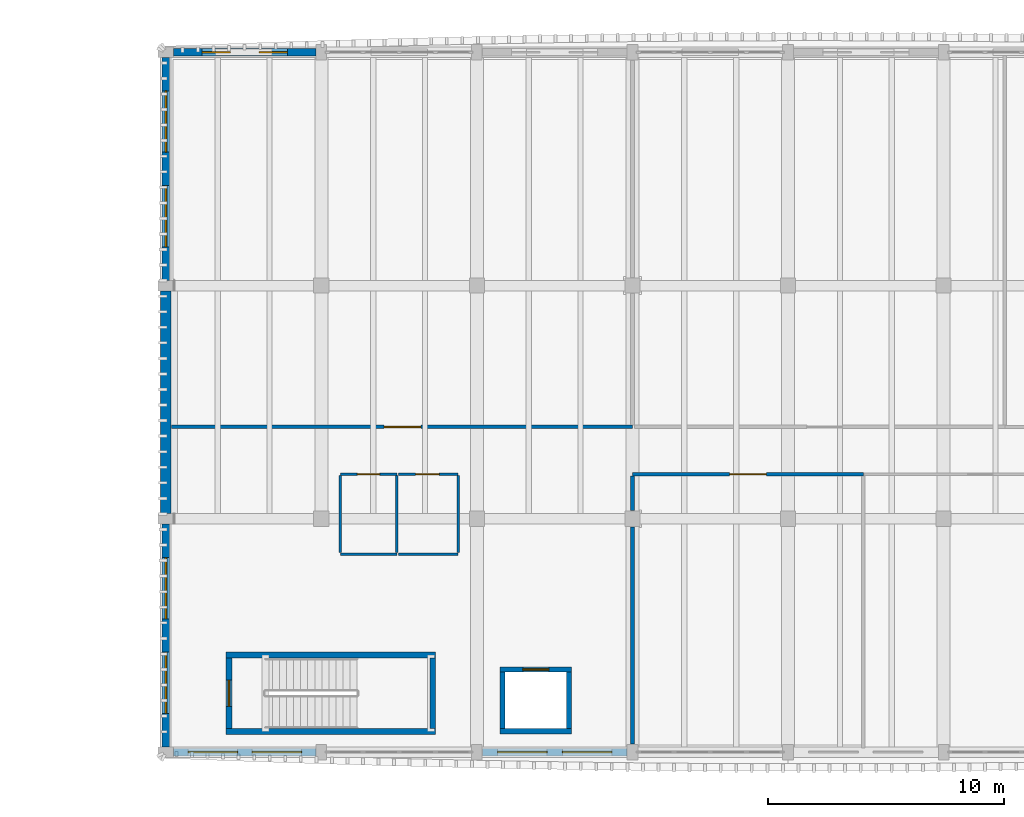
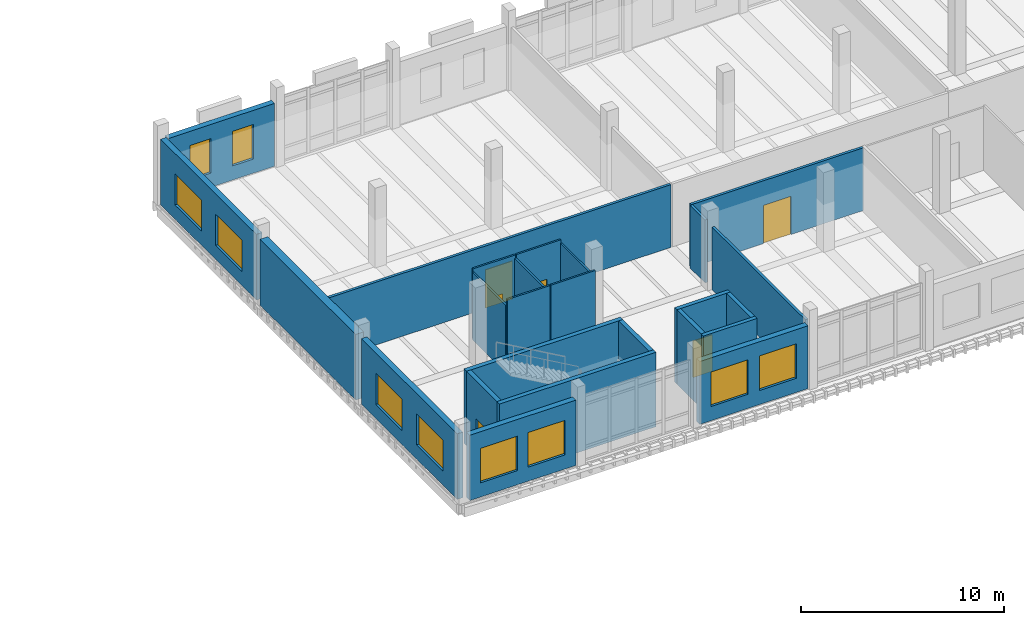
# One storey, part 23 of 39: 25 walls, 10 windows, 6 doors, 16 openings.
"""IFC4 building model written with IfcOpenShell, lengths in metres."""

from ifc_helpers import new_model, si_unit, direction, frame, frame_2d, origin, place, context, subcontext, project, spatial, rectangle, extrude, material, layer, layer_set, type_object, element, fill, save


model = new_model("IFC4")

# Units and contexts
model_context = context("Model", 3, precision=1e-05, world=origin(), true_north=direction((0.0, 1.0)))
body_context = subcontext(model_context, "Body", "Model", "MODEL_VIEW")
ifc_project = project(units=[si_unit("LENGTHUNIT", "METRE"), si_unit("AREAUNIT", "SQUARE_METRE"), si_unit("VOLUMEUNIT", "CUBIC_METRE"), si_unit("PLANEANGLEUNIT", "RADIAN"), si_unit("MASSUNIT", "GRAM", prefix="KILO")], contexts=[model_context])

# Site, building, storey
site_placement = place(None, origin())
site = spatial("IfcSite", under=ifc_project, at=site_placement, CompositionType="ELEMENT")
building_placement = place(site_placement, origin())
building = spatial("IfcBuilding", under=site, at=building_placement, Name="Dornvale Research Institute", CompositionType="ELEMENT")
storey_placement = place(building_placement, frame((0.0, 0.0, 24.60009765625)))
storey = spatial("IfcBuildingStorey", under=building, at=storey_placement, Name="L05", CompositionType="ELEMENT", Elevation=24.60009765625)

# Wall, opening, door
ifc_material_1 = material(Name="Acoustic Insulated Double-Stud Laboratory Partition")
ifc_layer_1 = layer(ifc_material_1, 0.14990234375)
ifc_layer_set_1 = layer_set([ifc_layer_1], Name="Acoustic Insulated Double-Stud Laboratory Partition")
wall_type_1 = type_object("IfcWallType", Name="Partition_Lab_150", PredefinedType="PARTITIONING", material=ifc_layer_set_1)
wall_1_placement = place(storey_placement, frame((119.0400390625, 106.199951171875, 0.0), z_axis=(0.0, 0.0, 1.0), x_axis=(1.0, 0.0, 0.0)))
wall_1 = element("IfcWall", 1, at=wall_1_placement, inside=storey, type_object=wall_type_1, Name="L05 V4 interior partition #480", PredefinedType="PARTITIONING", context=body_context, shape_type="SweptSolid", body=[
    extrude(rectangle(XDim=19.56005859375, YDim=0.14990234375, at=frame_2d((9.780029296875, 0.0))), origin(), (0.0, 0.0, 1.0), 3.77978515625),
])
opening_1_placement = place(wall_1_placement, frame((9.02001953125, 0.0, 0.0)))
opening_1 = element("IfcOpeningElement", 2, at=opening_1_placement, cuts=wall_1, Name="Opening ID-05", PredefinedType="OPENING", context=body_context, shape_type="SweptSolid", body=[
    extrude(rectangle(XDim=1.56005859375, YDim=2.300048828125, at=frame_2d((0.780029296875, 1.14990234375))), frame((0.0, 0.08984375, 0.0), z_axis=(0.0, -1.0, 0.0), x_axis=(1.0, 0.0, 0.0)), (0.0, 0.0, 1.0), 0.179931640625),
])
ifc_material_2 = material(Name="Insulated Fire-Rated Hollow Metal Door Assembly")
door_type_1 = type_object("IfcDoorType", Name="Door_WetLab_1560x2300", OperationType="SINGLE_SWING_LEFT", PredefinedType="DOOR", material=ifc_material_2)
door_1_placement = place(opening_1_placement, origin())
door_1 = element("IfcDoor", 3, at=door_1_placement, inside=storey, type_object=door_type_1, Name="L05 Marine and Atmospheric Chemistry Laboratory door #197", OperationType="SINGLE_SWING_RIGHT", OverallHeight=2.300048828125, OverallWidth=1.56005859375, PredefinedType="DOOR", context=body_context, shape_type="SweptSolid", body=[
    extrude(rectangle(XDim=1.56005859375, YDim=2.300048828125, at=frame_2d((0.780029296875, 1.14990234375))), frame((0.0, 0.02490234375, 0.0), z_axis=(0.0, -1.0, 0.0), x_axis=(1.0, 0.0, 0.0)), (0.0, 0.0, 1.0), 0.050048828125),
])
fill(opening_1, door_1)

wall_2_placement = place(storey_placement, frame((138.60009765625, 104.199951171875, 0.0), z_axis=(0.0, 0.0, 1.0), x_axis=(1.0, 0.0, 0.0)))
wall_2 = element("IfcWall", 4, at=wall_2_placement, inside=storey, type_object=wall_type_1, Name="L05 V4 interior partition #486", PredefinedType="PARTITIONING", context=body_context, shape_type="SweptSolid", body=[
    extrude(rectangle(XDim=9.7998046875, YDim=0.14990234375, at=frame_2d((4.89990234375, 0.0))), origin(), (0.0, 0.0, 1.0), 3.77978515625),
])
opening_2_placement = place(wall_2_placement, frame((4.1201171875, 0.0, 0.0)))
opening_2 = element("IfcOpeningElement", 5, at=opening_2_placement, cuts=wall_2, Name="Opening ID-05", PredefinedType="OPENING", context=body_context, shape_type="SweptSolid", body=[
    extrude(rectangle(XDim=1.56005859375, YDim=2.300048828125, at=frame_2d((0.780029296875, 1.14990234375))), frame((0.0, 0.08984375, 0.0), z_axis=(0.0, -1.0, 0.0), x_axis=(1.0, 0.0, 0.0)), (0.0, 0.0, 1.0), 0.179931640625),
])
door_2_placement = place(opening_2_placement, origin())
door_2 = element("IfcDoor", 6, at=door_2_placement, inside=storey, type_object=door_type_1, Name="L05 Laboratory Instrument Support Room L05 door #200", OperationType="SINGLE_SWING_LEFT", OverallHeight=2.300048828125, OverallWidth=1.56005859375, PredefinedType="DOOR", context=body_context, shape_type="SweptSolid", body=[
    extrude(rectangle(XDim=1.56005859375, YDim=2.300048828125, at=frame_2d((0.780029296875, 1.14990234375))), frame((0.0, 0.02490234375, 0.0), z_axis=(0.0, -1.0, 0.0), x_axis=(1.0, 0.0, 0.0)), (0.0, 0.0, 1.0), 0.050048828125),
])
fill(opening_2, door_2)

# Walls
wall_3_placement = place(storey_placement, frame((138.60009765625, 92.7451171875, 0.0), z_axis=(0.0, 0.0, 1.0), x_axis=(0.0, 1.0, 0.0)))
element("IfcWall", 7, at=wall_3_placement, inside=storey, type_object=wall_type_1, Name="L05 V4 interior partition #487", PredefinedType="PARTITIONING", context=body_context, shape_type="SweptSolid", body=[
    extrude(rectangle(XDim=9.2099609375, YDim=0.14990234375, at=frame_2d((4.60498046875, 0.0))), origin(), (0.0, 0.0, 1.0), 3.77978515625),
])
wall_4_placement = place(storey_placement, frame((138.60009765625, 102.64501953125, 0.0), z_axis=(0.0, 0.0, 1.0), x_axis=(0.0, 1.0, 0.0)))
element("IfcWall", 8, at=wall_4_placement, inside=storey, type_object=wall_type_1, Name="L05 V4 interior partition #488", PredefinedType="PARTITIONING", context=body_context, shape_type="SweptSolid", body=[
    extrude(rectangle(XDim=1.465087890625, YDim=0.14990234375, at=frame_2d((0.732421875, 0.0))), origin(), (0.0, 0.0, 1.0), 3.77978515625),
])
ifc_material_3 = material(Name="Acoustic Insulated Double-Stud Laboratory Partition")
ifc_layer_2 = layer(ifc_material_3, 0.10009765625)
ifc_layer_set_2 = layer_set([ifc_layer_2], Name="Acoustic Insulated Double-Stud Laboratory Partition")
wall_type_2 = type_object("IfcWallType", Name="Partition_Office_100", PredefinedType="PARTITIONING", material=ifc_layer_set_2)
wall_5_placement = place(storey_placement, frame((126.199951171875, 100.800048828125, 0.0), z_axis=(0.0, 0.0, 1.0), x_axis=(1.0, 0.0, 0.0)))
element("IfcWall", 9, at=wall_5_placement, inside=storey, type_object=wall_type_2, Name="L05 V4 interior partition #473", PredefinedType="PARTITIONING", context=body_context, shape_type="SweptSolid", body=[
    extrude(rectangle(XDim=2.400146484375, YDim=0.10009765625, at=frame_2d((1.2001953125, 0.0))), origin(), (0.0, 0.0, 1.0), 4.4599609375),
])

# Wall, opening, door
wall_6_placement = place(storey_placement, frame((126.199951171875, 104.199951171875, 0.0), z_axis=(0.0, 0.0, 1.0), x_axis=(1.0, 0.0, 0.0)))
wall_6 = element("IfcWall", 10, at=wall_6_placement, inside=storey, type_object=wall_type_2, Name="L05 V4 interior partition #474", PredefinedType="PARTITIONING", context=body_context, shape_type="SweptSolid", body=[
    extrude(rectangle(XDim=2.400146484375, YDim=0.10009765625, at=frame_2d((1.2001953125, 0.0))), origin(), (0.0, 0.0, 1.0), 4.244873046875),
])
opening_3_placement = place(wall_6_placement, frame((0.72509765625, 0.0, 0.0)))
opening_3 = element("IfcOpeningElement", 11, at=opening_3_placement, cuts=wall_6, Name="Opening ID-23", PredefinedType="OPENING", context=body_context, shape_type="SweptSolid", body=[
    extrude(rectangle(XDim=0.949951171875, YDim=2.14990234375, at=frame_2d((0.47509765625, 1.074951171875))), frame((0.0, 0.06494140625, 0.0), z_axis=(0.0, -1.0, 0.0), x_axis=(1.0, 0.0, 0.0)), (0.0, 0.0, 1.0), 0.130126953125),
])
ifc_material_4 = material(Name="Phenolic-Faced Solid-Core Laboratory Door Assembly")
door_type_2 = type_object("IfcDoorType", Name="Door_WC_950x2150", OperationType="SINGLE_SWING_LEFT", PredefinedType="DOOR", material=ifc_material_4)
door_3_placement = place(opening_3_placement, origin())
door_3 = element("IfcDoor", 12, at=door_3_placement, inside=storey, type_object=door_type_2, Name="L05 Wet Wing Male Restroom L05 door #195", OperationType="SINGLE_SWING_RIGHT", OverallHeight=2.14990234375, OverallWidth=0.949951171875, PredefinedType="DOOR", context=body_context, shape_type="SweptSolid", body=[
    extrude(rectangle(XDim=0.949951171875, YDim=2.14990234375, at=frame_2d((0.47509765625, 1.074951171875))), frame((0.0, 0.02490234375, 0.0), z_axis=(0.0, -1.0, 0.0), x_axis=(1.0, 0.0, 0.0)), (0.0, 0.0, 1.0), 0.050048828125),
])
fill(opening_3, door_3)

# Walls
for number, where, z_axis, x_axis, name in (
    (13, (126.199951171875, 100.864990234375, 0.0), (0.0, 0.0, 1.0), (0.0, 1.0, 0.0), "L05 V4 interior partition #475"),
    (14, (128.60009765625, 100.864990234375, 0.0), (0.0, 0.0, 1.0), (0.0, 1.0, 0.0), "L05 V4 interior partition #476"),
):
    element("IfcWall", number, at=place(storey_placement, frame(where, z_axis=z_axis, x_axis=x_axis)), inside=storey, type_object=wall_type_2, Name=name, PredefinedType="PARTITIONING", context=body_context, shape_type="SweptSolid", body=[
        extrude(rectangle(XDim=3.27001953125, YDim=0.10009765625, at=frame_2d((1.635009765625, 0.0))), origin(), (0.0, 0.0, 1.0), 4.06494140625),
    ])
wall_7_placement = place(storey_placement, frame((128.6650390625, 100.800048828125, 0.0), z_axis=(0.0, 0.0, 1.0), x_axis=(1.0, 0.0, 0.0)))
element("IfcWall", 15, at=wall_7_placement, inside=storey, type_object=wall_type_2, Name="L05 V4 interior partition #477", PredefinedType="PARTITIONING", context=body_context, shape_type="SweptSolid", body=[
    extrude(rectangle(XDim=2.534912109375, YDim=0.10009765625, at=frame_2d((1.267578125, 0.0))), origin(), (0.0, 0.0, 1.0), 4.4599609375),
])

# Wall, opening, door
wall_8_placement = place(storey_placement, frame((128.6650390625, 104.199951171875, 0.0), z_axis=(0.0, 0.0, 1.0), x_axis=(1.0, 0.0, 0.0)))
wall_8 = element("IfcWall", 16, at=wall_8_placement, inside=storey, type_object=wall_type_2, Name="L05 V4 interior partition #478", PredefinedType="PARTITIONING", context=body_context, shape_type="SweptSolid", body=[
    extrude(rectangle(XDim=2.534912109375, YDim=0.10009765625, at=frame_2d((1.267578125, 0.0))), origin(), (0.0, 0.0, 1.0), 4.244873046875),
])
opening_4_placement = place(wall_8_placement, frame((0.735107421875, 0.0, 0.0)))
opening_4 = element("IfcOpeningElement", 17, at=opening_4_placement, cuts=wall_8, Name="Opening ID-24", PredefinedType="OPENING", context=body_context, shape_type="SweptSolid", body=[
    extrude(rectangle(XDim=1.0, YDim=2.14990234375, at=frame_2d((0.5, 1.074951171875))), frame((0.0, 0.06494140625, 0.0), z_axis=(0.0, -1.0, 0.0), x_axis=(1.0, 0.0, 0.0)), (0.0, 0.0, 1.0), 0.130126953125),
])
ifc_material_5 = material(Name="Phenolic-Faced Solid-Core Laboratory Door Assembly")
door_type_3 = type_object("IfcDoorType", Name="Door_AccWC_1000x2150", OperationType="SINGLE_SWING_LEFT", PredefinedType="DOOR", material=ifc_material_5)
door_4_placement = place(opening_4_placement, origin())
door_4 = element("IfcDoor", 18, at=door_4_placement, inside=storey, type_object=door_type_3, Name="L05 Wet Wing Female and Accessible Restroom L05 door #196", OperationType="SINGLE_SWING_LEFT", OverallHeight=2.14990234375, OverallWidth=1.0, PredefinedType="DOOR", context=body_context, shape_type="SweptSolid", body=[
    extrude(rectangle(XDim=1.0, YDim=2.14990234375, at=frame_2d((0.5, 1.074951171875))), frame((0.0, 0.02490234375, 0.0), z_axis=(0.0, -1.0, 0.0), x_axis=(1.0, 0.0, 0.0)), (0.0, 0.0, 1.0), 0.050048828125),
])
fill(opening_4, door_4)

# Walls
wall_9_placement = place(storey_placement, frame((131.199951171875, 100.864990234375, 0.0), z_axis=(0.0, 0.0, 1.0), x_axis=(0.0, 1.0, 0.0)))
element("IfcWall", 19, at=wall_9_placement, inside=storey, type_object=wall_type_2, Name="L05 V4 interior partition #479", PredefinedType="PARTITIONING", context=body_context, shape_type="SweptSolid", body=[
    extrude(rectangle(XDim=3.27001953125, YDim=0.10009765625, at=frame_2d((1.635009765625, 0.0))), origin(), (0.0, 0.0, 1.0), 4.06494140625),
])
ifc_material_6 = material(Name="Concrete f'c 45 MPa (C35/45)", Category="concrete")
ifc_layer_3 = layer(ifc_material_6, 0.25)
ifc_layer_set_3 = layer_set([ifc_layer_3], Name="Concrete f'c 45 MPa (C35/45)")
wall_type_3 = type_object("IfcWallType", Name="ShearWall_Core_250", PredefinedType="SHEAR", material=ifc_layer_set_3)
for number, where, z_axis, x_axis, name in (
    (20, (121.35009765625, 93.27490234375, 0.0), (0.0, 0.0, 1.0), (1.0, 0.0, 0.0), "L05 ST-3 shaft shear wall south"),
    (21, (121.35009765625, 96.52490234375, 0.0), (0.0, 0.0, 1.0), (1.0, 0.0, 0.0), "L05 ST-3 shaft shear wall north"),
):
    element("IfcWall", number, at=place(storey_placement, frame(where, z_axis=z_axis, x_axis=x_axis)), inside=storey, type_object=wall_type_3, Name=name, PredefinedType="SHEAR", context=body_context, shape_type="SweptSolid", body=[
        extrude(rectangle(XDim=8.89990234375, YDim=0.25, at=frame_2d((4.449951171875, 0.0))), origin(), (0.0, 0.0, 1.0), 4.47998046875),
    ])

# Wall, opening, door
wall_10_placement = place(storey_placement, frame((121.47509765625, 93.39990234375, 0.0), z_axis=(0.0, 0.0, 1.0), x_axis=(0.0, 1.0, 0.0)))
wall_10 = element("IfcWall", 22, at=wall_10_placement, inside=storey, type_object=wall_type_3, Name="L05 ST-3 shaft shear wall west", PredefinedType="SHEAR", context=body_context, shape_type="SweptSolid", body=[
    extrude(rectangle(XDim=3.0, YDim=0.25, at=frame_2d((1.5, 0.0))), origin(), (0.0, 0.0, 1.0), 4.47998046875),
])
opening_5_placement = place(wall_10_placement, frame((0.93994140625, 0.0, 0.0)))
opening_5 = element("IfcOpeningElement", 23, at=opening_5_placement, cuts=wall_10, Name="Opening SD-01", PredefinedType="OPENING", context=body_context, shape_type="SweptSolid", body=[
    extrude(rectangle(XDim=1.1201171875, YDim=2.199951171875, at=frame_2d((0.56005859375, 1.10009765625))), frame((0.0, 0.139892578125, 0.0), z_axis=(0.0, -1.0, 0.0), x_axis=(1.0, 0.0, 0.0)), (0.0, 0.0, 1.0), 0.280029296875),
])
ifc_material_7 = material(Name="Insulated Fire-Rated Hollow Metal Door Assembly")
door_type_4 = type_object("IfcDoorType", Name="Door_Stair_1120x2200", OperationType="SINGLE_SWING_LEFT", PredefinedType="DOOR", material=ifc_material_7)
door_5_placement = place(opening_5_placement, origin())
door_5 = element("IfcDoor", 24, at=door_5_placement, inside=storey, type_object=door_type_4, Name="L05 ST-3 exit stair door #31", OperationType="SINGLE_SWING_LEFT", OverallHeight=2.199951171875, OverallWidth=1.1201171875, PredefinedType="DOOR", context=body_context, shape_type="SweptSolid", body=[
    extrude(rectangle(XDim=1.1201171875, YDim=2.199951171875, at=frame_2d((0.56005859375, 1.10009765625))), frame((0.0, 0.02490234375, 0.0), z_axis=(0.0, -1.0, 0.0), x_axis=(1.0, 0.0, 0.0)), (0.0, 0.0, 1.0), 0.050048828125),
])
fill(opening_5, door_5)

# Walls
wall_11_placement = place(storey_placement, frame((130.125, 93.39990234375, 0.0), z_axis=(0.0, 0.0, 1.0), x_axis=(0.0, 1.0, 0.0)))
element("IfcWall", 25, at=wall_11_placement, inside=storey, type_object=wall_type_3, Name="L05 ST-3 shaft shear wall east", PredefinedType="SHEAR", context=body_context, shape_type="SweptSolid", body=[
    extrude(rectangle(XDim=3.0, YDim=0.25, at=frame_2d((1.5, 0.0))), origin(), (0.0, 0.0, 1.0), 4.47998046875),
])
ifc_material_8 = material(Name="Concrete f'c 45 MPa (C35/45)", Category="concrete")
ifc_layer_4 = layer(ifc_material_8, 0.219970703125)
ifc_layer_set_4 = layer_set([ifc_layer_4], Name="Concrete f'c 45 MPa (C35/45)")
wall_type_4 = type_object("IfcWallType", Name="ShearWall_Shaft_220", PredefinedType="SHEAR", material=ifc_layer_set_4)
wall_12_placement = place(storey_placement, frame((132.97998046875, 93.2900390625, 0.0), z_axis=(0.0, 0.0, 1.0), x_axis=(1.0, 0.0, 0.0)))
element("IfcWall", 26, at=wall_12_placement, inside=storey, type_object=wall_type_4, Name="L05 LP2 elevator shaft wall south", PredefinedType="SHEAR", context=body_context, shape_type="SweptSolid", body=[
    extrude(rectangle(XDim=3.0400390625, YDim=0.219970703125, at=frame_2d((1.52001953125, 0.0))), origin(), (0.0, 0.0, 1.0), 4.47998046875),
])

# Wall, opening, door
wall_13_placement = place(storey_placement, frame((132.97998046875, 95.909912109375, 0.0), z_axis=(0.0, 0.0, 1.0), x_axis=(1.0, 0.0, 0.0)))
wall_13 = element("IfcWall", 27, at=wall_13_placement, inside=storey, type_object=wall_type_4, Name="L05 LP2 elevator shaft wall north", PredefinedType="SHEAR", context=body_context, shape_type="SweptSolid", body=[
    extrude(rectangle(XDim=3.0400390625, YDim=0.219970703125, at=frame_2d((1.52001953125, 0.0))), origin(), (0.0, 0.0, 1.0), 4.47998046875),
])
opening_6_placement = place(wall_13_placement, frame((0.969970703125, 0.0, 0.0)))
opening_6 = element("IfcOpeningElement", 28, at=opening_6_placement, cuts=wall_13, Name="Opening LD-02", PredefinedType="OPENING", context=body_context, shape_type="SweptSolid", body=[
    extrude(rectangle(XDim=1.10009765625, YDim=2.199951171875, at=frame_2d((0.550048828125, 1.10009765625))), frame((0.0, 0.125, 0.0), z_axis=(0.0, -1.0, 0.0), x_axis=(1.0, 0.0, 0.0)), (0.0, 0.0, 1.0), 0.25),
])
ifc_material_9 = material(Name="Brushed Stainless Steel Sliding Elevator Landing Door", Category="steel")
door_type_5 = type_object("IfcDoorType", Name="Door_LiftLanding_Pass_1100x2200", OperationType="SINGLE_SWING_LEFT", PredefinedType="DOOR", material=ifc_material_9)
door_6_placement = place(opening_6_placement, origin())
door_6 = element("IfcDoor", 29, at=door_6_placement, inside=storey, type_object=door_type_5, Name="L05 LP2 sliding elevator landing door #43", OperationType="SLIDING_TO_LEFT", OverallHeight=2.199951171875, OverallWidth=1.10009765625, PredefinedType="DOOR", context=body_context, shape_type="SweptSolid", body=[
    extrude(rectangle(XDim=1.10009765625, YDim=2.199951171875, at=frame_2d((0.550048828125, 1.10009765625))), frame((0.0, 0.02490234375, 0.0), z_axis=(0.0, -1.0, 0.0), x_axis=(1.0, 0.0, 0.0)), (0.0, 0.0, 1.0), 0.050048828125),
])
fill(opening_6, door_6)

# Walls
for number, where, z_axis, x_axis, name in (
    (30, (133.090087890625, 93.39990234375, 0.0), (0.0, 0.0, 1.0), (0.0, 1.0, 0.0), "L05 LP2 elevator shaft wall west"),
    (31, (135.909912109375, 93.39990234375, 0.0), (0.0, 0.0, 1.0), (0.0, 1.0, 0.0), "L05 LP2 elevator shaft wall east"),
):
    element("IfcWall", number, at=place(storey_placement, frame(where, z_axis=z_axis, x_axis=x_axis)), inside=storey, type_object=wall_type_4, Name=name, PredefinedType="SHEAR", context=body_context, shape_type="SweptSolid", body=[
        extrude(rectangle(XDim=2.400146484375, YDim=0.219970703125, at=frame_2d((1.2001953125, 0.0))), origin(), (0.0, 0.0, 1.0), 4.47998046875),
    ])
ifc_material_10 = material(Name="Precast Concrete f'c 40 MPa (C32/40) and Glazed Terracotta Backup Wall", Category="masonry")
ifc_layer_5 = layer(ifc_material_10, 0.449951171875)
ifc_layer_set_5 = layer_set([ifc_layer_5], Name="Precast Concrete f'c 40 MPa (C32/40) and Glazed Terracotta Backup Wall")
wall_type_5 = type_object("IfcWallType", Name="SolidWall_ShearBraceBay_450", PredefinedType="SOLIDWALL", material=ifc_layer_set_5)
wall_14_placement = place(storey_placement, frame((118.800048828125, 102.52490234375, 0.0), z_axis=(0.0, 0.0, 1.0), x_axis=(0.0, 1.0, 0.0)))
element("IfcWall", 32, at=wall_14_placement, inside=storey, type_object=wall_type_5, Name="L05 V4 west exterior wall #262", PredefinedType="SOLIDWALL", context=body_context, shape_type="SweptSolid", body=[
    extrude(rectangle(XDim=9.4501953125, YDim=0.449951171875, at=frame_2d((4.72509765625, 0.0))), origin(), (0.0, 0.0, 1.0), 3.949951171875),
])

# Wall, openings, windows
ifc_material_11 = material(Name="Catalan Pressed Brick and Insulated Cavity Assembly", Category="masonry")
ifc_layer_6 = layer(ifc_material_11, 0.320068359375)
ifc_layer_set_6 = layer_set([ifc_layer_6], Name="Catalan Pressed Brick and Insulated Cavity Assembly")
wall_type_6 = type_object("IfcWallType", Name="StandardWall_BrickCavity_320", PredefinedType="STANDARD", material=ifc_layer_set_6)
wall_15_placement = place(storey_placement, frame((118.800048828125, 92.625, 0.0), z_axis=(0.0, 0.0, 1.0), x_axis=(0.0, 1.0, 0.0)))
wall_15 = element("IfcWall", 33, at=wall_15_placement, inside=storey, type_object=wall_type_6, Name="L05 V4 west exterior wall #261", PredefinedType="STANDARD", context=body_context, shape_type="SweptSolid", body=[
    extrude(rectangle(XDim=9.449951171875, YDim=0.320068359375, at=frame_2d((4.72509765625, 0.0))), origin(), (0.0, 0.0, 1.0), 3.949951171875),
])
opening_7_placement = place(wall_15_placement, frame((1.416748046875, 0.0, 0.85009765625)))
opening_7 = element("IfcOpeningElement", 34, at=opening_7_placement, cuts=wall_15, Name="Opening W-34", PredefinedType="OPENING", context=body_context, shape_type="SweptSolid", body=[
    extrude(rectangle(XDim=2.60009765625, YDim=1.8798828125, at=frame_2d((1.300048828125, 0.93994140625))), frame((0.0, 0.175048828125, 0.0), z_axis=(0.0, -1.0, 0.0), x_axis=(1.0, 0.0, 0.0)), (0.0, 0.0, 1.0), 0.35009765625),
])
opening_8_placement = place(wall_15_placement, frame((5.433349609375, 0.0, 0.85009765625)))
opening_8 = element("IfcOpeningElement", 35, at=opening_8_placement, cuts=wall_15, Name="Opening W-34", PredefinedType="OPENING", context=body_context, shape_type="SweptSolid", body=[
    extrude(rectangle(XDim=2.60009765625, YDim=1.8798828125, at=frame_2d((1.300048828125, 0.93994140625))), frame((0.0, 0.175048828125, 0.0), z_axis=(0.0, -1.0, 0.0), x_axis=(1.0, 0.0, 0.0)), (0.0, 0.0, 1.0), 0.35009765625),
])
ifc_material_12 = material(Name="Low-E Argon Double Insulating Glazing Unit", Category="glass")
window_type_1 = type_object("IfcWindowType", Name="Window_Alu_2600x1880_34", PartitioningType="DOUBLE_PANEL_VERTICAL", PredefinedType="WINDOW", material=ifc_material_12)
window_1_placement = place(opening_7_placement, origin())
window_1 = element("IfcWindow", 36, at=window_1_placement, inside=storey, type_object=window_type_1, Name="L05 V4 facade window W-34 #357", OverallHeight=1.8798828125, OverallWidth=2.60009765625, PartitioningType="DOUBLE_PANEL_VERTICAL", PredefinedType="WINDOW", context=body_context, shape_type="SweptSolid", body=[
    extrude(rectangle(XDim=2.60009765625, YDim=1.8798828125, at=frame_2d((1.300048828125, 0.93994140625))), frame((0.0, 0.030029296875, 0.0), z_axis=(0.0, -1.0, 0.0), x_axis=(1.0, 0.0, 0.0)), (0.0, 0.0, 1.0), 0.06005859375),
])
fill(opening_7, window_1)
window_2_placement = place(opening_8_placement, origin())
window_2 = element("IfcWindow", 37, at=window_2_placement, inside=storey, type_object=window_type_1, Name="L05 V4 facade window W-34 #358", OverallHeight=1.8798828125, OverallWidth=2.60009765625, PartitioningType="DOUBLE_PANEL_VERTICAL", PredefinedType="WINDOW", context=body_context, shape_type="SweptSolid", body=[
    extrude(rectangle(XDim=2.60009765625, YDim=1.8798828125, at=frame_2d((1.300048828125, 0.93994140625))), frame((0.0, 0.030029296875, 0.0), z_axis=(0.0, -1.0, 0.0), x_axis=(1.0, 0.0, 0.0)), (0.0, 0.0, 1.0), 0.06005859375),
])
fill(opening_8, window_2)

wall_16_placement = place(storey_placement, frame((118.800048828125, 112.425048828125, 0.0), z_axis=(0.0, 0.0, 1.0), x_axis=(0.0, 1.0, 0.0)))
wall_16 = element("IfcWall", 38, at=wall_16_placement, inside=storey, type_object=wall_type_6, Name="L05 V4 west exterior wall #263", PredefinedType="STANDARD", context=body_context, shape_type="SweptSolid", body=[
    extrude(rectangle(XDim=9.449951171875, YDim=0.320068359375, at=frame_2d((4.72509765625, 0.0))), origin(), (0.0, 0.0, 1.0), 3.949951171875),
])
opening_9_placement = place(wall_16_placement, frame((1.416748046875, 0.0, 0.85009765625)))
opening_9 = element("IfcOpeningElement", 39, at=opening_9_placement, cuts=wall_16, Name="Opening W-34", PredefinedType="OPENING", context=body_context, shape_type="SweptSolid", body=[
    extrude(rectangle(XDim=2.60009765625, YDim=1.8798828125, at=frame_2d((1.300048828125, 0.93994140625))), frame((0.0, 0.175048828125, 0.0), z_axis=(0.0, -1.0, 0.0), x_axis=(1.0, 0.0, 0.0)), (0.0, 0.0, 1.0), 0.35009765625),
])
opening_10_placement = place(wall_16_placement, frame((5.433349609375, 0.0, 0.85009765625)))
opening_10 = element("IfcOpeningElement", 40, at=opening_10_placement, cuts=wall_16, Name="Opening W-34", PredefinedType="OPENING", context=body_context, shape_type="SweptSolid", body=[
    extrude(rectangle(XDim=2.60009765625, YDim=1.8798828125, at=frame_2d((1.300048828125, 0.93994140625))), frame((0.0, 0.175048828125, 0.0), z_axis=(0.0, -1.0, 0.0), x_axis=(1.0, 0.0, 0.0)), (0.0, 0.0, 1.0), 0.35009765625),
])
window_3_placement = place(opening_9_placement, origin())
window_3 = element("IfcWindow", 41, at=window_3_placement, inside=storey, type_object=window_type_1, Name="L05 V4 facade window W-34 #359", OverallHeight=1.8798828125, OverallWidth=2.60009765625, PartitioningType="DOUBLE_PANEL_VERTICAL", PredefinedType="WINDOW", context=body_context, shape_type="SweptSolid", body=[
    extrude(rectangle(XDim=2.60009765625, YDim=1.8798828125, at=frame_2d((1.300048828125, 0.93994140625))), frame((0.0, 0.030029296875, 0.0), z_axis=(0.0, -1.0, 0.0), x_axis=(1.0, 0.0, 0.0)), (0.0, 0.0, 1.0), 0.06005859375),
])
fill(opening_9, window_3)
window_4_placement = place(opening_10_placement, origin())
window_4 = element("IfcWindow", 42, at=window_4_placement, inside=storey, type_object=window_type_1, Name="L05 V4 facade window W-34 #360", OverallHeight=1.8798828125, OverallWidth=2.60009765625, PartitioningType="DOUBLE_PANEL_VERTICAL", PredefinedType="WINDOW", context=body_context, shape_type="SweptSolid", body=[
    extrude(rectangle(XDim=2.60009765625, YDim=1.8798828125, at=frame_2d((1.300048828125, 0.93994140625))), frame((0.0, 0.030029296875, 0.0), z_axis=(0.0, -1.0, 0.0), x_axis=(1.0, 0.0, 0.0)), (0.0, 0.0, 1.0), 0.06005859375),
])
fill(opening_10, window_4)

wall_17_placement = place(storey_placement, frame((119.125, 122.10009765625, 0.0), z_axis=(0.0, 0.0, 1.0), x_axis=(1.0, 0.0, 0.0)))
wall_17 = element("IfcWall", 43, at=wall_17_placement, inside=storey, type_object=wall_type_6, Name="L05 V4 north exterior wall #264", PredefinedType="STANDARD", context=body_context, shape_type="SweptSolid", body=[
    extrude(rectangle(XDim=6.050048828125, YDim=0.320068359375, at=frame_2d((3.02490234375, 0.0))), origin(), (0.0, 0.0, 1.0), 3.77978515625),
])
opening_11_placement = place(wall_17_placement, frame((1.216796875, 0.0, 0.85009765625)))
opening_11 = element("IfcOpeningElement", 44, at=opening_11_placement, cuts=wall_17, Name="Opening W-37", PredefinedType="OPENING", context=body_context, shape_type="SweptSolid", body=[
    extrude(rectangle(XDim=1.199951171875, YDim=2.080078125, at=frame_2d((0.60009765625, 1.0400390625))), frame((0.0, 0.175048828125, 0.0), z_axis=(0.0, -1.0, 0.0), x_axis=(1.0, 0.0, 0.0)), (0.0, 0.0, 1.0), 0.35009765625),
])
opening_12_placement = place(wall_17_placement, frame((3.63330078125, 0.0, 0.85009765625)))
opening_12 = element("IfcOpeningElement", 45, at=opening_12_placement, cuts=wall_17, Name="Opening W-37", PredefinedType="OPENING", context=body_context, shape_type="SweptSolid", body=[
    extrude(rectangle(XDim=1.199951171875, YDim=2.080078125, at=frame_2d((0.60009765625, 1.0400390625))), frame((0.0, 0.175048828125, 0.0), z_axis=(0.0, -1.0, 0.0), x_axis=(1.0, 0.0, 0.0)), (0.0, 0.0, 1.0), 0.35009765625),
])
ifc_material_13 = material(Name="Low-E Argon Double Insulating Glazing Unit", Category="glass")
window_type_2 = type_object("IfcWindowType", Name="Window_Alu_1200x2080_37", PartitioningType="SINGLE_PANEL", PredefinedType="WINDOW", material=ifc_material_13)
window_5_placement = place(opening_11_placement, origin())
window_5 = element("IfcWindow", 46, at=window_5_placement, inside=storey, type_object=window_type_2, Name="L05 V4 facade window W-37 #361", OverallHeight=2.080078125, OverallWidth=1.199951171875, PartitioningType="SINGLE_PANEL", PredefinedType="WINDOW", context=body_context, shape_type="SweptSolid", body=[
    extrude(rectangle(XDim=1.199951171875, YDim=2.080078125, at=frame_2d((0.60009765625, 1.0400390625))), frame((0.0, 0.030029296875, 0.0), z_axis=(0.0, -1.0, 0.0), x_axis=(1.0, 0.0, 0.0)), (0.0, 0.0, 1.0), 0.06005859375),
])
fill(opening_11, window_5)
window_6_placement = place(opening_12_placement, origin())
window_6 = element("IfcWindow", 47, at=window_6_placement, inside=storey, type_object=window_type_2, Name="L05 V4 facade window W-37 #362", OverallHeight=2.080078125, OverallWidth=1.199951171875, PartitioningType="SINGLE_PANEL", PredefinedType="WINDOW", context=body_context, shape_type="SweptSolid", body=[
    extrude(rectangle(XDim=1.199951171875, YDim=2.080078125, at=frame_2d((0.60009765625, 1.0400390625))), frame((0.0, 0.030029296875, 0.0), z_axis=(0.0, -1.0, 0.0), x_axis=(1.0, 0.0, 0.0)), (0.0, 0.0, 1.0), 0.06005859375),
])
fill(opening_12, window_6)

wall_18_placement = place(storey_placement, frame((138.375, 92.39990234375, 0.0), z_axis=(0.0, 0.0, 1.0), x_axis=(-1.0, 0.0, 0.0)))
wall_18 = element("IfcWall", 48, at=wall_18_placement, inside=storey, type_object=wall_type_6, Name="L05 V4 south exterior wall #273", PredefinedType="STANDARD", context=body_context, shape_type="SweptSolid", body=[
    extrude(rectangle(XDim=6.14990234375, YDim=0.320068359375, at=frame_2d((3.074951171875, 0.0))), origin(), (0.0, 0.0, 1.0), 3.77978515625),
])
opening_13_placement = place(wall_18_placement, frame((0.64990234375, 0.0, 0.85009765625)))
opening_13 = element("IfcOpeningElement", 49, at=opening_13_placement, cuts=wall_18, Name="Opening W-43", PredefinedType="OPENING", context=body_context, shape_type="SweptSolid", body=[
    extrude(rectangle(XDim=2.10009765625, YDim=2.080078125, at=frame_2d((1.050048828125, 1.0400390625))), frame((0.0, 0.175048828125, 0.0), z_axis=(0.0, -1.0, 0.0), x_axis=(1.0, 0.0, 0.0)), (0.0, 0.0, 1.0), 0.35009765625),
])
opening_14_placement = place(wall_18_placement, frame((3.39990234375, 0.0, 0.85009765625)))
opening_14 = element("IfcOpeningElement", 50, at=opening_14_placement, cuts=wall_18, Name="Opening W-43", PredefinedType="OPENING", context=body_context, shape_type="SweptSolid", body=[
    extrude(rectangle(XDim=2.10009765625, YDim=2.080078125, at=frame_2d((1.050048828125, 1.0400390625))), frame((0.0, 0.175048828125, 0.0), z_axis=(0.0, -1.0, 0.0), x_axis=(1.0, 0.0, 0.0)), (0.0, 0.0, 1.0), 0.35009765625),
])
ifc_material_14 = material(Name="Low-E Argon Double Insulating Glazing Unit", Category="glass")
window_type_3 = type_object("IfcWindowType", Name="Window_Alu_2100x2080_43", PartitioningType="DOUBLE_PANEL_VERTICAL", PredefinedType="WINDOW", material=ifc_material_14)
window_7_placement = place(opening_13_placement, origin())
window_7 = element("IfcWindow", 51, at=window_7_placement, inside=storey, type_object=window_type_3, Name="L05 V4 facade window W-43 #377", OverallHeight=2.080078125, OverallWidth=2.10009765625, PartitioningType="DOUBLE_PANEL_VERTICAL", PredefinedType="WINDOW", context=body_context, shape_type="SweptSolid", body=[
    extrude(rectangle(XDim=2.10009765625, YDim=2.080078125, at=frame_2d((1.050048828125, 1.0400390625))), frame((0.0, 0.030029296875, 0.0), z_axis=(0.0, -1.0, 0.0), x_axis=(1.0, 0.0, 0.0)), (0.0, 0.0, 1.0), 0.06005859375),
])
fill(opening_13, window_7)
window_8_placement = place(opening_14_placement, origin())
window_8 = element("IfcWindow", 52, at=window_8_placement, inside=storey, type_object=window_type_3, Name="L05 V4 facade window W-43 #378", OverallHeight=2.080078125, OverallWidth=2.10009765625, PartitioningType="DOUBLE_PANEL_VERTICAL", PredefinedType="WINDOW", context=body_context, shape_type="SweptSolid", body=[
    extrude(rectangle(XDim=2.10009765625, YDim=2.080078125, at=frame_2d((1.050048828125, 1.0400390625))), frame((0.0, 0.030029296875, 0.0), z_axis=(0.0, -1.0, 0.0), x_axis=(1.0, 0.0, 0.0)), (0.0, 0.0, 1.0), 0.06005859375),
])
fill(opening_14, window_8)

wall_19_placement = place(storey_placement, frame((125.175048828125, 92.39990234375, 0.0), z_axis=(0.0, 0.0, 1.0), x_axis=(-1.0, 0.0, 0.0)))
wall_19 = element("IfcWall", 53, at=wall_19_placement, inside=storey, type_object=wall_type_6, Name="L05 V4 south exterior wall #274", PredefinedType="STANDARD", context=body_context, shape_type="SweptSolid", body=[
    extrude(rectangle(XDim=6.050048828125, YDim=0.320068359375, at=frame_2d((3.02490234375, 0.0))), origin(), (0.0, 0.0, 1.0), 3.929931640625),
])
opening_15_placement = place(wall_19_placement, frame((0.61669921875, 0.0, 0.85009765625)))
opening_15 = element("IfcOpeningElement", 54, at=opening_15_placement, cuts=wall_19, Name="Opening W-43", PredefinedType="OPENING", context=body_context, shape_type="SweptSolid", body=[
    extrude(rectangle(XDim=2.10009765625, YDim=2.080078125, at=frame_2d((1.050048828125, 1.0400390625))), frame((0.0, 0.175048828125, 0.0), z_axis=(0.0, -1.0, 0.0), x_axis=(1.0, 0.0, 0.0)), (0.0, 0.0, 1.0), 0.35009765625),
])
opening_16_placement = place(wall_19_placement, frame((3.33349609375, 0.0, 0.85009765625)))
opening_16 = element("IfcOpeningElement", 55, at=opening_16_placement, cuts=wall_19, Name="Opening W-43", PredefinedType="OPENING", context=body_context, shape_type="SweptSolid", body=[
    extrude(rectangle(XDim=2.10009765625, YDim=2.080078125, at=frame_2d((1.050048828125, 1.0400390625))), frame((0.0, 0.175048828125, 0.0), z_axis=(0.0, -1.0, 0.0), x_axis=(1.0, 0.0, 0.0)), (0.0, 0.0, 1.0), 0.35009765625),
])
window_9_placement = place(opening_15_placement, origin())
window_9 = element("IfcWindow", 56, at=window_9_placement, inside=storey, type_object=window_type_3, Name="L05 V4 facade window W-43 #379", OverallHeight=2.080078125, OverallWidth=2.10009765625, PartitioningType="DOUBLE_PANEL_VERTICAL", PredefinedType="WINDOW", context=body_context, shape_type="SweptSolid", body=[
    extrude(rectangle(XDim=2.10009765625, YDim=2.080078125, at=frame_2d((1.050048828125, 1.0400390625))), frame((0.0, 0.030029296875, 0.0), z_axis=(0.0, -1.0, 0.0), x_axis=(1.0, 0.0, 0.0)), (0.0, 0.0, 1.0), 0.06005859375),
])
fill(opening_15, window_9)
window_10_placement = place(opening_16_placement, origin())
window_10 = element("IfcWindow", 57, at=window_10_placement, inside=storey, type_object=window_type_3, Name="L05 V4 facade window W-43 #380", OverallHeight=2.080078125, OverallWidth=2.10009765625, PartitioningType="DOUBLE_PANEL_VERTICAL", PredefinedType="WINDOW", context=body_context, shape_type="SweptSolid", body=[
    extrude(rectangle(XDim=2.10009765625, YDim=2.080078125, at=frame_2d((1.050048828125, 1.0400390625))), frame((0.0, 0.030029296875, 0.0), z_axis=(0.0, -1.0, 0.0), x_axis=(1.0, 0.0, 0.0)), (0.0, 0.0, 1.0), 0.06005859375),
])
fill(opening_16, window_10)

save(model, "model.ifc")
